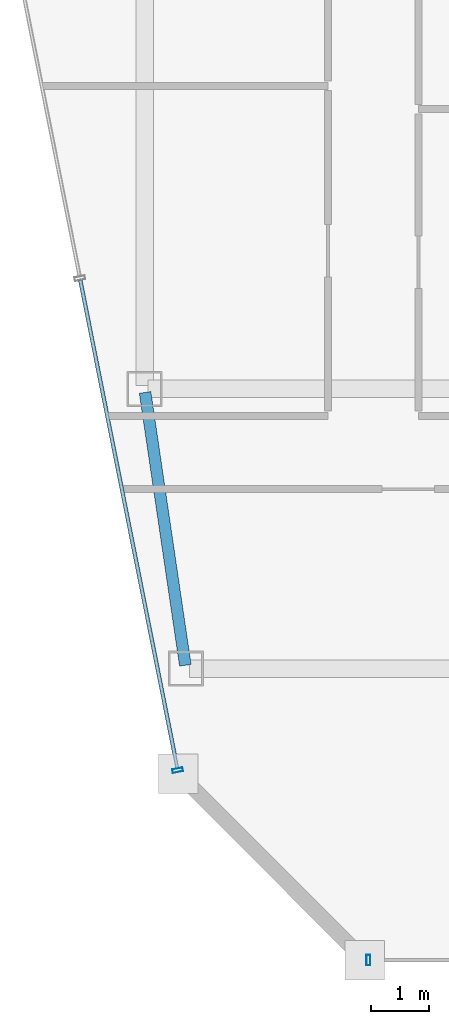
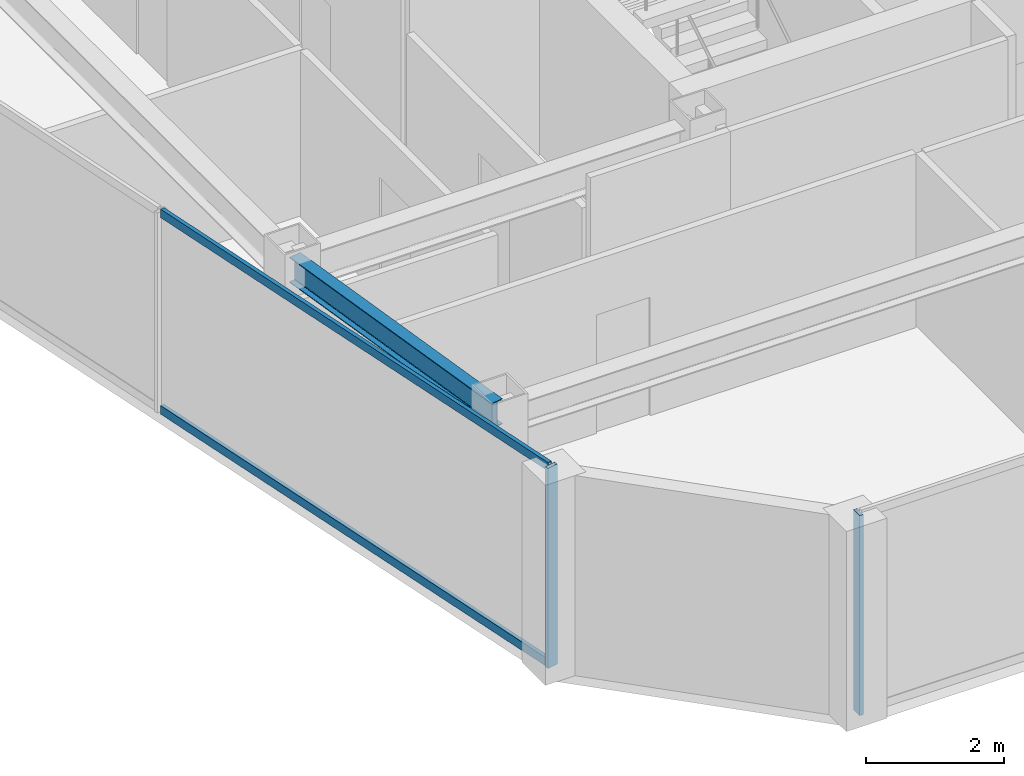
# One storey, part 3 of 23: 4 members, 1 beam, 2 elements without a shape of their own.
"""IFC4 building model written with IfcOpenShell, lengths in metres."""

from ifc_helpers import new_model, si_unit, direction, frame, origin, origin_2d, place, context, subcontext, project, spatial, hollow_rectangle, i_section, extrude, material, material_profile, profile_set, type_object, element, aggregate, save


model = new_model("IFC4")

# Units and contexts
model_context = context("Model", 3, precision=1e-05, world=origin(), true_north=direction((0.0, 1.0)))
body_context = subcontext(model_context, "Body", "Model", "MODEL_VIEW")
ifc_project = project(units=[si_unit("LENGTHUNIT", "METRE"), si_unit("AREAUNIT", "SQUARE_METRE"), si_unit("VOLUMEUNIT", "CUBIC_METRE"), si_unit("PLANEANGLEUNIT", "RADIAN"), si_unit("MASSUNIT", "GRAM", prefix="KILO")], contexts=[model_context])

# Site, building, storey
site_placement = place(None, origin())
site = spatial("IfcSite", under=ifc_project, at=site_placement, CompositionType="ELEMENT")
building_placement = place(site_placement, origin())
building = spatial("IfcBuilding", under=site, at=building_placement, Name="Saevonmaru Cultural Tower", CompositionType="ELEMENT")
storey_placement = place(building_placement, frame((0.0, 0.0, 302.800048828125)))
storey = spatial("IfcBuildingStorey", under=building, at=storey_placement, Name="L72", CompositionType="ELEMENT", Elevation=302.800048828125)

# Beam
ifc_material_1 = material(Name="Steel SM355", Category="steel")
ifc_material_profile_1 = material_profile(ifc_material_1, i_section(OverallWidth=0.199951171875, OverallDepth=0.449951171875, WebThickness=0.009033203125, FlangeThickness=0.013916015625, FilletRadius=0.01806640625, at=origin_2d()), Name="H-450x200x9x14")
ifc_profile_set_1 = profile_set([ifc_material_profile_1], Name="Steel SM355")
beam_type = type_object("IfcBeamType", Name="BM-SP-H450", PredefinedType="SPANDREL", material=ifc_profile_set_1)
beam_placement = place(storey_placement, frame((7.499267578125, 37.659423828125, 3.324951171875), z_axis=(-0.145912860028, 0.989297446312, 0.0), x_axis=(-0.989297446312, -0.145912860028, 0.0)))
element("IfcBeam", 1, at=beam_placement, inside=storey, type_object=beam_type, Name="L72 West Splayed Spandrel 1", PredefinedType="SPANDREL", context=body_context, shape_type="SweptSolid", body=[
    extrude(i_section(OverallWidth=0.199951171875, OverallDepth=0.449951171875, WebThickness=0.009033203125, FlangeThickness=0.013916015625, FilletRadius=0.01806640625, at=origin_2d()), origin(), (0.0, 0.0, 1.0), 4.731689453125),
])

# Curtain wall, member
ifc_material_2 = material(Name="Satin Bronze Anodised Aluminium", Category="aluminium")
curtain_wall_type = type_object("IfcCurtainWallType", Name="CW-TYP-B", PredefinedType="NOTDEFINED", material=ifc_material_2)
curtain_wall_1_placement = place(storey_placement, origin())
curtain_wall_1 = element("IfcCurtainWall", 2, at=curtain_wall_1_placement, inside=storey, type_object=curtain_wall_type, Name="L72 Unitised Curtain Wall E2", PredefinedType="NOTDEFINED")
ifc_material_profile_2 = material_profile(ifc_material_2, hollow_rectangle(XDim=0.06494140625, YDim=0.179931640625, WallThickness=0.00390625, at=origin_2d()), Name="ALU-MULL-180x65x4")
ifc_profile_set_2 = profile_set([ifc_material_profile_2], Name="Satin Bronze Anodised Aluminium")
member_type_1 = type_object("IfcMemberType", Name="ML-CW-180x65", PredefinedType="MULLION", material=ifc_profile_set_2)
member_1_placement = place(storey_placement, frame((10.639892578125, 32.60009765625, 0.0), z_axis=(0.0, 0.0, 1.0), x_axis=(1.0, 0.0, 0.0)))
member_1 = element("IfcMember", 3, at=member_1_placement, type_object=member_type_1, Name="CW-TW-L72-E2 mullion 1", PredefinedType="MULLION", context=body_context, shape_type="SweptSolid", body=[
    extrude(hollow_rectangle(XDim=0.06494140625, YDim=0.179931640625, WallThickness=0.00390625, at=origin_2d()), origin(), (0.0, 0.0, 1.0), 3.550048828125),
])
aggregate(curtain_wall_1, [member_1])

# Curtain wall, members
curtain_wall_2_placement = place(storey_placement, origin())
curtain_wall_2 = element("IfcCurtainWall", 4, at=curtain_wall_2_placement, inside=storey, type_object=curtain_wall_type, Name="L72 Unitised Curtain Wall E12", PredefinedType="NOTDEFINED")
member_2_placement = place(storey_placement, frame((7.368408203125, 35.85888671875, 0.0), z_axis=(0.0, 0.0, 1.0), x_axis=(0.195005484813, -0.980802151758, 0.0)))
member_2 = element("IfcMember", 5, at=member_2_placement, type_object=member_type_1, Name="CW-TW-L72-E12 mullion 3", PredefinedType="MULLION", context=body_context, shape_type="SweptSolid", body=[
    extrude(hollow_rectangle(XDim=0.06494140625, YDim=0.179931640625, WallThickness=0.00390625, at=origin_2d()), origin(), (0.0, 0.0, 1.0), 3.550048828125),
])
ifc_material_profile_3 = material_profile(ifc_material_2, hollow_rectangle(XDim=0.06494140625, YDim=0.14990234375, WallThickness=0.00390625, at=origin_2d()), Name="ALU-TRAN-150x65x4")
ifc_profile_set_3 = profile_set([ifc_material_profile_3], Name="Satin Bronze Anodised Aluminium")
member_type_2 = type_object("IfcMemberType", Name="TR-CW-150x65", PredefinedType="USERDEFINED", material=ifc_profile_set_3)
member_3_placement = place(storey_placement, frame((5.6962890625, 44.26806640625, 0.032470703125), z_axis=(0.195022161716, -0.980798835868, 0.0), x_axis=(0.980798835868, 0.195022161716, 0.0)))
member_3 = element("IfcMember", 6, at=member_3_placement, type_object=member_type_2, Name="CW-TW-L72-E12 transom 2.1", ObjectType="TRANSOM", PredefinedType="USERDEFINED", context=body_context, shape_type="SweptSolid", body=[
    extrude(hollow_rectangle(XDim=0.06494140625, YDim=0.14990234375, WallThickness=0.00390625, at=origin_2d()), origin(), (0.0, 0.0, 1.0), 8.54150390625),
])
member_4_placement = place(storey_placement, frame((5.6962890625, 44.26806640625, 3.517333984375), z_axis=(0.195022161716, -0.980798835868, 0.0), x_axis=(0.980798835868, 0.195022161716, 0.0)))
member_4 = element("IfcMember", 7, at=member_4_placement, type_object=member_type_2, Name="CW-TW-L72-E12 transom 2.2", ObjectType="TRANSOM", PredefinedType="USERDEFINED", context=body_context, shape_type="SweptSolid", body=[
    extrude(hollow_rectangle(XDim=0.06494140625, YDim=0.14990234375, WallThickness=0.00390625, at=origin_2d()), origin(), (0.0, 0.0, 1.0), 8.54150390625),
])
aggregate(curtain_wall_2, [member_2, member_3, member_4])

save(model, "model.ifc")
